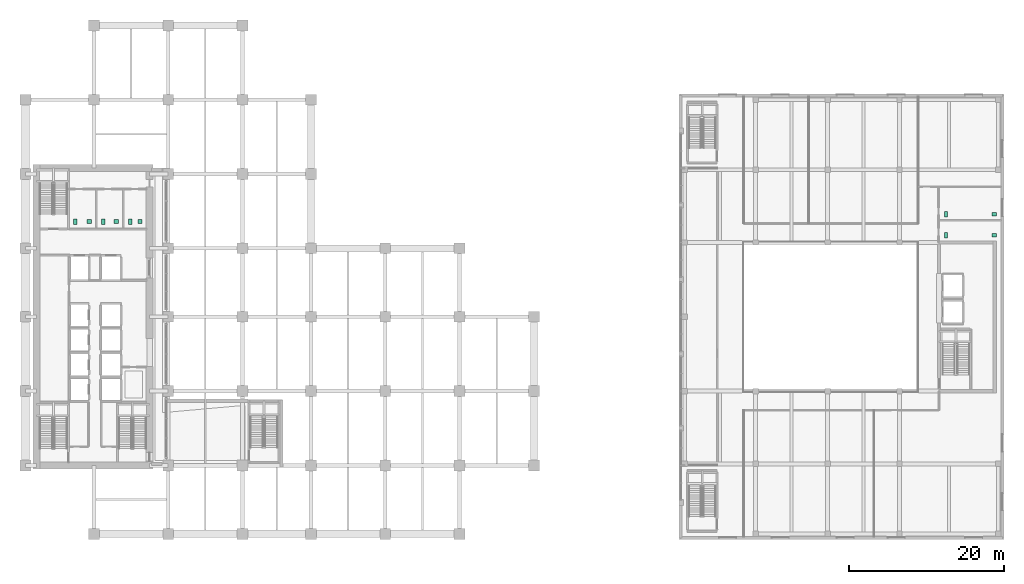
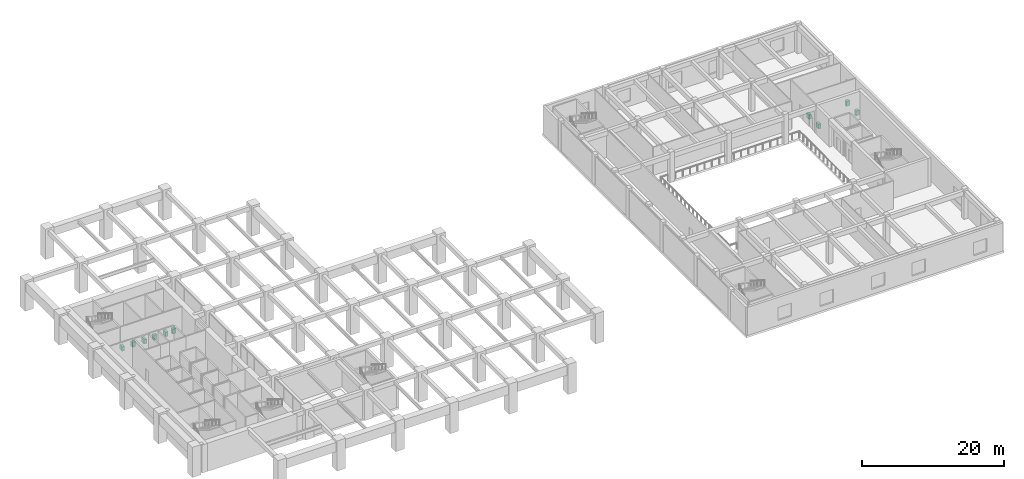
# One storey, part 22 of 22: 10 sanitary terminals.
"""IFC4 building model written with IfcOpenShell, lengths in metres."""

import ifcopenshell
import ifcopenshell.guid

model = None  # the IFC model being written
_history = None  # IfcOwnerHistory: only IFC2X3 demands one
_inside = {}  # id of a spatial element -> (the spatial element, [elements in it])
_under = {}  # id of a project, library or spatial element -> (it, [spatial elements below it])
_declared = {}  # id of a project -> (the project, [libraries it declares])
_typed = {}  # id of a type object -> (the type object, [elements of that type])
_made_of = {}  # id of a material, layer set ... -> (it, [elements and type objects made of it])


def new_model(schema):
    """Start an empty IFC model of exactly this schema.

    Asked for "IFC4X3", IfcOpenShell would pick the latest addendum, in which some entities
    have other attributes; the version numbers below select the first issue.
    IFC2X3 requires an IfcOwnerHistory on every rooted entity: one is made here for all.
    """
    global model, _history
    if schema == "IFC4X3":
        model = ifcopenshell.file(schema_version=(4, 3, 0, 0))
    else:
        model = ifcopenshell.file(schema=schema)
    _inside.clear()
    _under.clear()
    _declared.clear()
    _typed.clear()
    _made_of.clear()
    _history = None
    if model.schema == "IFC2X3":
        org = make("IfcOrganization", Name="unknown")
        user = make(
            "IfcPersonAndOrganization",
            ThePerson=make("IfcPerson", FamilyName="unknown"),
            TheOrganization=org,
        )
        app = make(
            "IfcApplication",
            ApplicationDeveloper=org,
            Version="unknown",
            ApplicationFullName="unknown",
            ApplicationIdentifier="unknown",
        )
        _history = make(
            "IfcOwnerHistory",
            OwningUser=user,
            OwningApplication=app,
            ChangeAction="ADDED",
            CreationDate=0,
        )
    return model


def make(cls, **values):
    """One entity of the class cls with the attributes given. An attribute that is None is left unset."""
    return model.create_entity(
        cls, **{name: value for name, value in values.items() if value is not None}
    )


def rooted(cls, **values):
    """An entity with a GlobalId (a new one), such as an element, a storey or a relation."""
    return make(cls, GlobalId=ifcopenshell.guid.new(), OwnerHistory=_history, **values)


def si_unit(unit_type, name, prefix=None):
    """IfcSIUnit, for example si_unit("LENGTHUNIT", "METRE", prefix="MILLI")."""
    return make("IfcSIUnit", UnitType=unit_type, Prefix=prefix, Name=name)


def assignment(units):
    """IfcUnitAssignment: the units of a project."""
    return None if units is None else make("IfcUnitAssignment", Units=units)


def point(xyz):
    """IfcCartesianPoint."""
    return None if xyz is None else make("IfcCartesianPoint", Coordinates=xyz)


def direction(xyz):
    """IfcDirection."""
    return None if xyz is None else make("IfcDirection", DirectionRatios=xyz)


def frame(location, z_axis=None, x_axis=None):
    """IfcAxis2Placement3D, a coordinate frame: its origin and axes. An axis left out is left unset."""
    return make(
        "IfcAxis2Placement3D",
        Location=point(location),
        Axis=direction(z_axis),
        RefDirection=direction(x_axis),
    )


def frame_2d(location, x_axis=None):
    """IfcAxis2Placement2D, a coordinate frame in the plane: its origin and x axis."""
    return make(
        "IfcAxis2Placement2D", Location=point(location), RefDirection=direction(x_axis)
    )


def origin():
    """The frame at (0, 0, 0) with its axes left unset."""
    return frame((0.0, 0.0, 0.0))


def origin_2d():
    """The frame at (0, 0) in the plane with its x axis left unset."""
    return frame_2d((0.0, 0.0))


def place(relative_to, where):
    """IfcLocalPlacement: puts the frame where relative to a parent placement (None: the world)."""
    return make(
        "IfcLocalPlacement", PlacementRelTo=relative_to, RelativePlacement=where
    )


def context(
    kind, dimensions, precision=None, world=None, true_north=None, identifier=None
):
    """IfcGeometricRepresentationContext, for example the 3D "Model" context."""
    return make(
        "IfcGeometricRepresentationContext",
        ContextIdentifier=identifier,
        ContextType=kind,
        CoordinateSpaceDimension=dimensions,
        Precision=precision,
        WorldCoordinateSystem=world,
        TrueNorth=true_north,
    )


def subcontext(parent, identifier, kind, view, scale=None):
    """IfcGeometricRepresentationSubContext, for example "Body" below "Model"."""
    return make(
        "IfcGeometricRepresentationSubContext",
        ContextIdentifier=identifier,
        ContextType=kind,
        ParentContext=parent,
        TargetScale=scale,
        TargetView=view,
    )


def project(units=None, contexts=None):
    """IfcProject with its units and contexts."""
    return rooted(
        "IfcProject",
        Name="project",
        RepresentationContexts=contexts,
        UnitsInContext=assignment(units),
    )


def spatial(cls, under=None, at=None, **own):
    """A site, building, storey or space (cls), placed at a placement, below another one or the project."""
    s = rooted(cls, ObjectPlacement=at, **own)
    if under is not None:
        _under.setdefault(under.id(), (under, []))[1].append(s)
    return s


def profile(cls, at=None, kind="AREA", **sizes):
    """A parametric profile (cls). Its sizes go by their IFC names, for example OverallWidth=200.0."""
    return make(cls, ProfileType=kind, Position=at, **sizes)


def rectangle(**sizes):
    """IfcRectangleProfileDef."""
    return profile("IfcRectangleProfileDef", **sizes)


def extrude(swept, where, along, depth):
    """IfcExtrudedAreaSolid: the profile swept, set in the frame where, extruded along a direction by depth."""
    return make(
        "IfcExtrudedAreaSolid",
        SweptArea=swept,
        Position=where,
        ExtrudedDirection=direction(along),
        Depth=depth,
    )


def shape(context_of_items, identifier, shape_type, items):
    """IfcShapeRepresentation: the items that make up one representation, for example the "Body"."""
    return make(
        "IfcShapeRepresentation",
        ContextOfItems=context_of_items,
        RepresentationIdentifier=identifier,
        RepresentationType=shape_type,
        Items=items,
    )


def material(Name=None, Category=None):
    """IfcMaterial."""
    return make("IfcMaterial", Name=Name, Category=Category)


def made_of(thing, what):
    """Note that an element or type object is made of a material, layer set ...; save() writes the relation."""
    if what is not None:
        _made_of.setdefault(what.id(), (what, []))[1].append(thing)
    return thing


def type_object(cls, material=None, **own):
    """A type object (cls), such as IfcWallType, which elements share."""
    return made_of(rooted(cls, **own), material)


def element(
    cls,
    number,
    at=None,
    inside=None,
    cuts=None,
    type_object=None,
    material=None,
    context=None,
    identifier="Body",
    shape_type=None,
    held_by="IfcProductDefinitionShape",
    body=None,
    shapes=None,
    **own,
):
    """One element of the class cls, such as IfcWall. Its Tag is "e" and its number.

    at: its placement. inside: the storey or other place that contains it. cuts: it is an
    opening in that element (IfcRelVoidsElement). A single representation is given by context,
    identifier, shape_type and body (its items); several are given by shapes. held_by: the class
    of the entity that holds the representations. save() writes the other relations.
    """
    e = rooted(cls, Tag="e%d" % number, ObjectPlacement=at, **own)
    if body is not None:
        shapes = [shape(context, identifier, shape_type, body)]
    if shapes is not None:
        e.Representation = make(held_by, Representations=shapes)
    if inside is not None:
        _inside.setdefault(inside.id(), (inside, []))[1].append(e)
    if cuts is not None:
        rooted(
            "IfcRelVoidsElement", RelatingBuildingElement=cuts, RelatedOpeningElement=e
        )
    if type_object is not None:
        _typed.setdefault(type_object.id(), (type_object, []))[1].append(e)
    return made_of(e, material)


def aggregate(whole, parts):
    """IfcRelAggregates: a whole, such as a stair, and the parts it consists of."""
    return rooted("IfcRelAggregates", RelatingObject=whole, RelatedObjects=parts)


def save(model, path):
    """Write the relations noted so far, then the file.

    IfcRelAggregates (storeys below a building ...), IfcRelContainedInSpatialStructure (elements
    in a storey), IfcRelDefinesByType, IfcRelAssociatesMaterial and IfcRelDeclares: one each for
    every whole, place, type object, material and project.
    """
    for whole, parts in _under.values():
        aggregate(whole, parts)
    for where, things in _inside.values():
        rooted(
            "IfcRelContainedInSpatialStructure",
            RelatedElements=things,
            RelatingStructure=where,
        )
    for kind, things in _typed.values():
        rooted("IfcRelDefinesByType", RelatedObjects=things, RelatingType=kind)
    for what, things in _made_of.values():
        rooted("IfcRelAssociatesMaterial", RelatedObjects=things, RelatingMaterial=what)
    for by, libraries in _declared.values():
        rooted("IfcRelDeclares", RelatingContext=by, RelatedDefinitions=libraries)
    model.write(path)


model = new_model("IFC4")

# Units and contexts
model_context = context("Model", 3, precision=1e-05, world=origin(), true_north=direction((0.0, 1.0)))
body_context = subcontext(model_context, "Body", "Model", "MODEL_VIEW")
ifc_project = project(units=[si_unit("LENGTHUNIT", "METRE"), si_unit("AREAUNIT", "SQUARE_METRE"), si_unit("VOLUMEUNIT", "CUBIC_METRE"), si_unit("PLANEANGLEUNIT", "RADIAN"), si_unit("MASSUNIT", "GRAM", prefix="KILO")], contexts=[model_context])

# Site, building, storey
site_placement = place(None, origin())
site = spatial("IfcSite", under=ifc_project, at=site_placement, CompositionType="ELEMENT")
building_placement = place(site_placement, origin())
building = spatial("IfcBuilding", under=site, at=building_placement, Name="Norrvale University Quadrangle", CompositionType="ELEMENT")
storey_placement = place(building_placement, frame((0.0, 0.0, 5.199951171875)))
storey = spatial("IfcBuildingStorey", under=building, at=storey_placement, Name="L01", CompositionType="ELEMENT", Elevation=5.199951171875)

# Sanitary terminals
ifc_material = material(Name="Vitreous China Sanitaryware")
sanitary_terminal_type_1 = type_object("IfcSanitaryTerminalType", Name="Sanitary Wash Basin", PredefinedType="WASHHANDBASIN", material=ifc_material)
for number, where, z_axis, x_axis, name in (
    (1, (9.0, 41.10009765625, 0.0), (0.0, 0.0, 1.0), (1.0, 0.0, 0.0), "Accessible Countertop Washbasin L01-1"),
    (2, (12.5, 41.10009765625, 0.0), (0.0, 0.0, 1.0), (1.0, 0.0, 0.0), "Accessible Countertop Washbasin L01-2"),
    (3, (15.550048828125, 41.10009765625, 0.0), (0.0, 0.0, 1.0), (1.0, 0.0, 0.0), "Accessible Countertop Washbasin L01-3"),
    (4, (125.949951171875, 39.35009765625, 0.0), (0.0, 0.0, 1.0), (1.0, 0.0, 0.0), "Accessible Countertop Washbasin L01-4"),
    (5, (125.949951171875, 42.050048828125, 0.0), (0.0, 0.0, 1.0), (1.0, 0.0, 0.0), "Accessible Countertop Washbasin L01-5"),
):
    element("IfcSanitaryTerminal", number, at=place(storey_placement, frame(where, z_axis=z_axis, x_axis=x_axis)), inside=storey, type_object=sanitary_terminal_type_1, Name=name, PredefinedType="WASHHANDBASIN", context=body_context, shape_type="SweptSolid", body=[
        extrude(rectangle(XDim=0.550048828125, YDim=0.47998046875, at=origin_2d()), origin(), (0.0, 0.0, 1.0), 0.85009765625),
    ])
sanitary_terminal_type_2 = type_object("IfcSanitaryTerminalType", Name="Sanitary Water Closet", PredefinedType="TOILETPAN", material=ifc_material)
for number, where, z_axis, x_axis, name in (
    (6, (7.199951171875, 41.10009765625, 0.0), (0.0, 0.0, 1.0), (1.0, 0.0, 0.0), "Wall-Hung Water Closet L01-1"),
    (7, (10.800048828125, 41.10009765625, 0.0), (0.0, 0.0, 1.0), (1.0, 0.0, 0.0), "Wall-Hung Water Closet L01-2"),
    (8, (14.300048828125, 41.10009765625, 0.0), (0.0, 0.0, 1.0), (1.0, 0.0, 0.0), "Wall-Hung Water Closet L01-3"),
    (9, (119.699951171875, 39.35009765625, 0.0), (0.0, 0.0, 1.0), (1.0, 0.0, 0.0), "Wall-Hung Water Closet L01-4"),
    (10, (119.699951171875, 42.050048828125, 0.0), (0.0, 0.0, 1.0), (1.0, 0.0, 0.0), "Wall-Hung Water Closet L01-5"),
):
    element("IfcSanitaryTerminal", number, at=place(storey_placement, frame(where, z_axis=z_axis, x_axis=x_axis)), inside=storey, type_object=sanitary_terminal_type_2, Name=name, PredefinedType="TOILETPAN", context=body_context, shape_type="SweptSolid", body=[
        extrude(rectangle(XDim=0.419921875, YDim=0.699951171875, at=origin_2d()), origin(), (0.0, 0.0, 1.0), 0.780029296875),
    ])

save(model, "model.ifc")
